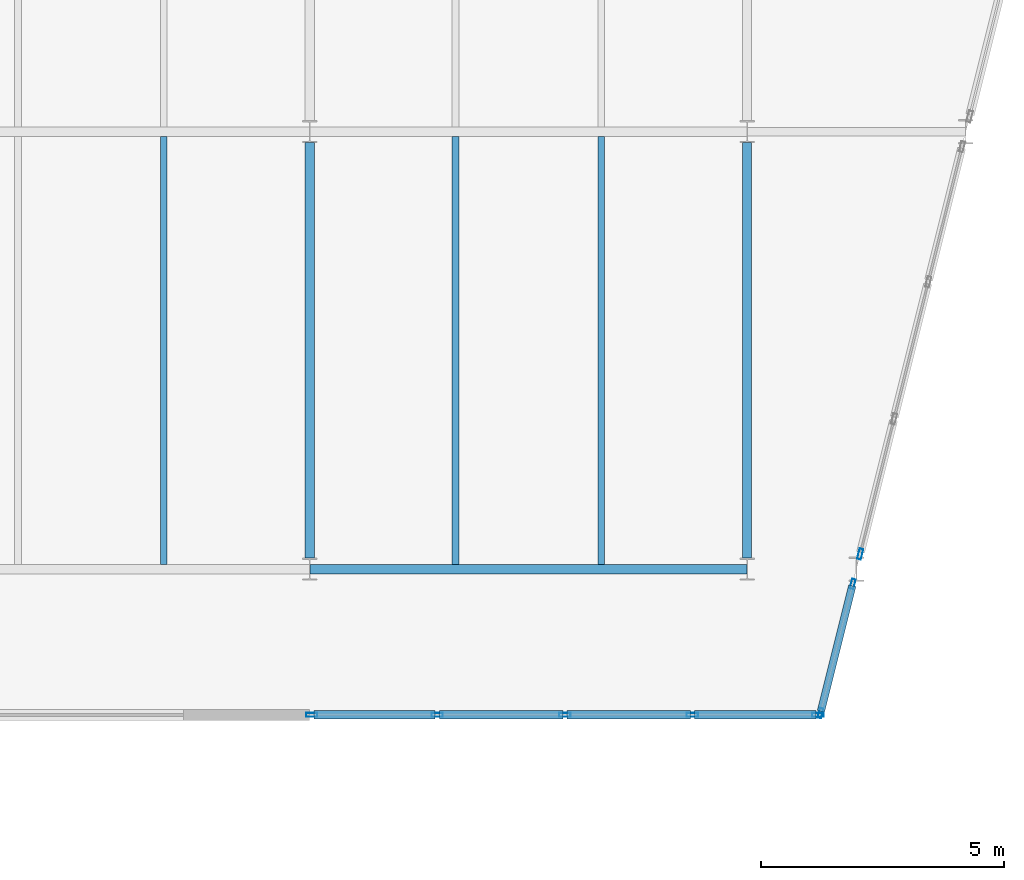
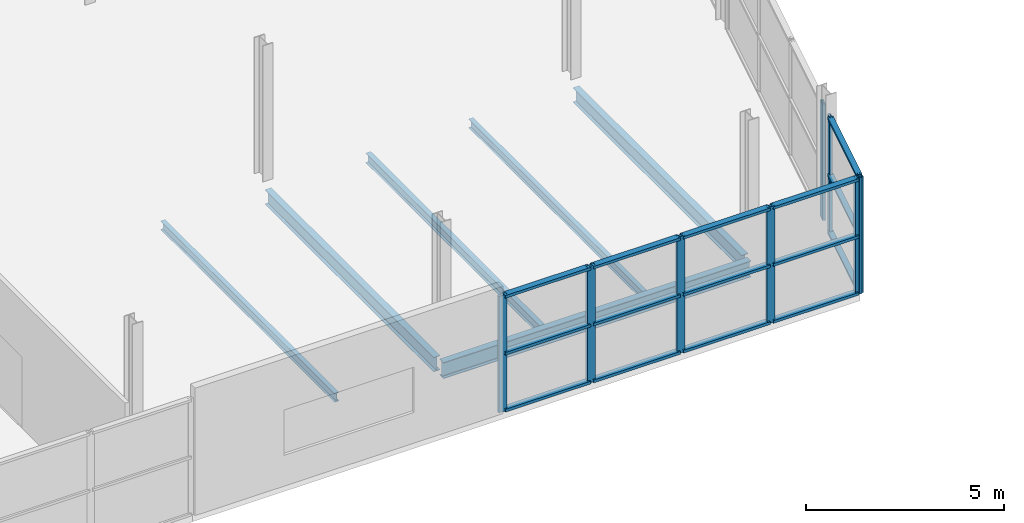
# One storey, part 48 of 132: 23 members, 6 beams, 3 elements without a shape of their own.
"""IFC4 building model written with IfcOpenShell, lengths in metres."""

from ifc_helpers import new_model, si_unit, direction, frame, origin, origin_2d, place, context, subcontext, project, spatial, hollow_rectangle, i_section, extrude, material, layer, layer_set, material_profile, profile_set, type_object, element, aggregate, save


model = new_model("IFC4")

# Units and contexts
model_context = context("Model", 3, precision=1e-05, world=origin(), true_north=direction((0.0, 1.0)))
body_context = subcontext(model_context, "Body", "Model", "MODEL_VIEW")
ifc_project = project(units=[si_unit("LENGTHUNIT", "METRE"), si_unit("AREAUNIT", "SQUARE_METRE"), si_unit("VOLUMEUNIT", "CUBIC_METRE"), si_unit("PLANEANGLEUNIT", "RADIAN"), si_unit("MASSUNIT", "GRAM", prefix="KILO")], contexts=[model_context])

# Site, building, storey
site_placement = place(None, origin())
site = spatial("IfcSite", under=ifc_project, at=site_placement, CompositionType="ELEMENT")
building_placement = place(site_placement, origin())
building = spatial("IfcBuilding", under=site, at=building_placement, Name="Deido Ridge Mobility Hub", CompositionType="ELEMENT")
storey_placement = place(building_placement, frame((0.0, 0.0, 8.39990234375)))
storey = spatial("IfcBuildingStorey", under=building, at=storey_placement, Name="L02", CompositionType="ELEMENT", Elevation=8.39990234375)

# Beams
ifc_material_1 = material(Name="Steel S355J2 EN 10025-2", Category="steel")
ifc_material_profile_1 = material_profile(ifc_material_1, i_section(OverallWidth=0.18994140625, OverallDepth=0.449951171875, WebThickness=0.009521484375, FlangeThickness=0.0146484375, FilletRadius=0.02099609375, at=origin_2d()), Name="IPE 450")
ifc_profile_set_1 = profile_set([ifc_material_profile_1], Name="Steel S355J2 EN 10025-2")
beam_type_1 = type_object("IfcBeamType", Name="BM-IPE450", PredefinedType="BEAM", material=ifc_profile_set_1)
for number, where, z_axis, x_axis, name in (
    (1, (36.0, 54.22509765625, -0.47998046875), (0.0, 1.0, 0.0), (-1.0, 0.0, 0.0), "Floor beam B4"),
    (2, (45.0, 54.22509765625, -0.47998046875), (0.0, 1.0, 0.0), (-1.0, 0.0, 0.0), "Floor beam B4"),
):
    element("IfcBeam", number, at=place(storey_placement, frame(where, z_axis=z_axis, x_axis=x_axis)), inside=storey, type_object=beam_type_1, Name=name, PredefinedType="BEAM", context=body_context, shape_type="SweptSolid", body=[
        extrude(i_section(OverallWidth=0.18994140625, OverallDepth=0.449951171875, WebThickness=0.009521484375, FlangeThickness=0.0146484375, FilletRadius=0.02099609375, at=origin_2d()), origin(), (0.0, 0.0, 1.0), 8.5498046875),
    ])
ifc_material_profile_2 = material_profile(ifc_material_1, i_section(OverallWidth=0.199951171875, OverallDepth=0.5, WebThickness=0.01025390625, FlangeThickness=0.01611328125, FilletRadius=0.02099609375, at=origin_2d()), Name="IPE 500")
ifc_profile_set_2 = profile_set([ifc_material_profile_2], Name="Steel S355J2 EN 10025-2")
beam_type_2 = type_object("IfcBeamType", Name="BM-IPE500", PredefinedType="BEAM", material=ifc_profile_set_2)
beam_1_placement = place(storey_placement, frame((36.007080078125, 54.0, -0.5048828125), z_axis=(1.0, 0.0, 0.0), x_axis=(0.0, 1.0, 0.0)))
element("IfcBeam", 3, at=beam_1_placement, inside=storey, type_object=beam_type_2, Name="Floor beam B3", PredefinedType="BEAM", context=body_context, shape_type="SweptSolid", body=[
    extrude(i_section(OverallWidth=0.199951171875, OverallDepth=0.5, WebThickness=0.01025390625, FlangeThickness=0.01611328125, FilletRadius=0.02099609375, at=origin_2d()), origin(), (0.0, 0.0, 1.0), 8.98583984375),
])
ifc_material_profile_3 = material_profile(ifc_material_1, i_section(OverallWidth=0.135009765625, OverallDepth=0.27001953125, WebThickness=0.006591796875, FlangeThickness=0.01025390625, FilletRadius=0.014892578125, at=origin_2d()), Name="IPE 270")
ifc_profile_set_3 = profile_set([ifc_material_profile_3], Name="Steel S355J2 EN 10025-2")
beam_type_3 = type_object("IfcBeamType", Name="JST-IPE270", PredefinedType="JOIST", material=ifc_profile_set_3)
for number, where, z_axis, x_axis, name in (
    (4, (33.0, 54.10009765625, -0.389892578125), (0.0, 1.0, 0.0), (-1.0, 0.0, 0.0), "Composite joist J4"),
    (5, (42.0, 54.10009765625, -0.389892578125), (0.0, 1.0, 0.0), (-1.0, 0.0, 0.0), "Composite joist J4"),
):
    element("IfcBeam", number, at=place(storey_placement, frame(where, z_axis=z_axis, x_axis=x_axis)), inside=storey, type_object=beam_type_3, Name=name, PredefinedType="JOIST", context=body_context, shape_type="SweptSolid", body=[
        extrude(i_section(OverallWidth=0.135009765625, OverallDepth=0.27001953125, WebThickness=0.006591796875, FlangeThickness=0.01025390625, FilletRadius=0.014892578125, at=origin_2d()), origin(), (0.0, 0.0, 1.0), 8.7998046875),
    ])
ifc_material_profile_4 = material_profile(ifc_material_1, i_section(OverallWidth=0.14990234375, OverallDepth=0.300048828125, WebThickness=0.007080078125, FlangeThickness=0.0107421875, FilletRadius=0.014892578125, at=origin_2d()), Name="IPE 300")
ifc_profile_set_4 = profile_set([ifc_material_profile_4], Name="Steel S355J2 EN 10025-2")
beam_type_4 = type_object("IfcBeamType", Name="JST-IPE300", PredefinedType="JOIST", material=ifc_profile_set_4)
beam_2_placement = place(storey_placement, frame((39.0, 54.10009765625, -0.40478515625), z_axis=(0.0, 1.0, 0.0), x_axis=(-1.0, 0.0, 0.0)))
element("IfcBeam", 6, at=beam_2_placement, inside=storey, type_object=beam_type_4, Name="Composite joist J3", PredefinedType="JOIST", context=body_context, shape_type="SweptSolid", body=[
    extrude(i_section(OverallWidth=0.14990234375, OverallDepth=0.300048828125, WebThickness=0.007080078125, FlangeThickness=0.0107421875, FilletRadius=0.014892578125, at=origin_2d()), origin(), (0.0, 0.0, 1.0), 8.7998046875),
])

# Curtain wall, members
ifc_material_2 = material(Name="Anodised aluminium EN AW-6063 T6", Category="aluminium")
ifc_layer_1 = layer(ifc_material_2, 0.22509765625, Name="Anodised aluminium EN AW-6063 T6")
ifc_layer_set_1 = layer_set([ifc_layer_1], Name="Anodised aluminium EN AW-6063 T6")
curtain_wall_type_1 = type_object("IfcCurtainWallType", Name="CW-UF-5", PredefinedType="USERDEFINED", material=ifc_layer_set_1)
curtain_wall_1_placement = place(storey_placement, origin())
curtain_wall_1 = element("IfcCurtainWall", 7, at=curtain_wall_1_placement, inside=storey, type_object=curtain_wall_type_1, Name="Unitised curtain wall CW5", ObjectType="UNITISED FACADE", PredefinedType="USERDEFINED")
ifc_material_profile_5 = material_profile(ifc_material_2, hollow_rectangle(XDim=0.074951171875, YDim=0.205078125, WallThickness=0.00390625, at=origin_2d()), Name="RHS 75x205x4")
ifc_profile_set_5 = profile_set([ifc_material_profile_5], Name="Anodised aluminium EN AW-6063 T6")
member_type_1 = type_object("IfcMemberType", Name="MEM-MUL-75X205", PredefinedType="MULLION", material=ifc_profile_set_5)
member_1_placement = place(storey_placement, frame((46.509033203125, 51.036376953125, 0.0), z_axis=(0.0, 0.0, 1.0), x_axis=(-0.970138318353, 0.242552351592, 0.0)))
member_1 = element("IfcMember", 8, at=member_1_placement, type_object=member_type_1, Name="CW5 mullion 1", PredefinedType="MULLION", context=body_context, shape_type="SweptSolid", body=[
    extrude(hollow_rectangle(XDim=0.074951171875, YDim=0.205078125, WallThickness=0.00390625, at=origin_2d()), origin(), (0.0, 0.0, 1.0), 3.60009765625),
])
member_2_placement = place(storey_placement, frame((47.17333984375, 53.693115234375, 0.0), z_axis=(0.0, 0.0, 1.0), x_axis=(-0.970138318353, 0.242552351592, 0.0)))
member_2 = element("IfcMember", 9, at=member_2_placement, type_object=member_type_1, Name="CW5 mullion 2", PredefinedType="MULLION", context=body_context, shape_type="SweptSolid", body=[
    extrude(hollow_rectangle(XDim=0.074951171875, YDim=0.205078125, WallThickness=0.00390625, at=origin_2d()), origin(), (0.0, 0.0, 1.0), 3.60009765625),
])

# Curtain wall, member
ifc_layer_2 = layer(ifc_material_2, 0.239990234375, Name="Anodised aluminium EN AW-6063 T6")
ifc_layer_set_2 = layer_set([ifc_layer_2], Name="Anodised aluminium EN AW-6063 T6")
curtain_wall_type_2 = type_object("IfcCurtainWallType", Name="CW-UF-6", PredefinedType="USERDEFINED", material=ifc_layer_set_2)
curtain_wall_2_placement = place(storey_placement, origin())
curtain_wall_2 = element("IfcCurtainWall", 10, at=curtain_wall_2_placement, inside=storey, type_object=curtain_wall_type_2, Name="Unitised curtain wall CW6", ObjectType="UNITISED FACADE", PredefinedType="USERDEFINED")
ifc_material_profile_6 = material_profile(ifc_material_2, hollow_rectangle(XDim=0.080078125, YDim=0.219970703125, WallThickness=0.00390625, at=origin_2d()), Name="RHS 80x220x4")
ifc_profile_set_6 = profile_set([ifc_material_profile_6], Name="Anodised aluminium EN AW-6063 T6")
member_type_2 = type_object("IfcMemberType", Name="MEM-MUL-80X220", PredefinedType="MULLION", material=ifc_profile_set_6)
member_3_placement = place(storey_placement, frame((47.327392578125, 54.309326171875, 0.0), z_axis=(0.0, 0.0, 1.0), x_axis=(-0.970139801497, 0.242546419373, 0.0)))
member_3 = element("IfcMember", 11, at=member_3_placement, type_object=member_type_2, Name="CW6 mullion 1", PredefinedType="MULLION", context=body_context, shape_type="SweptSolid", body=[
    extrude(hollow_rectangle(XDim=0.080078125, YDim=0.219970703125, WallThickness=0.00390625, at=origin_2d()), origin(), (0.0, 0.0, 1.0), 3.60009765625),
])
aggregate(curtain_wall_2, [member_3])

# Curtain wall, members
ifc_layer_3 = layer(ifc_material_2, 0.132080078125, Name="Anodised aluminium EN AW-6063 T6")
ifc_layer_set_3 = layer_set([ifc_layer_3], Name="Anodised aluminium EN AW-6063 T6")
curtain_wall_type_3 = type_object("IfcCurtainWallType", Name="CW-GS-1", PredefinedType="USERDEFINED", material=ifc_layer_set_3)
curtain_wall_3_placement = place(storey_placement, origin())
curtain_wall_3 = element("IfcCurtainWall", 12, at=curtain_wall_3_placement, inside=storey, type_object=curtain_wall_type_3, Name="Unitised curtain wall GS1", ObjectType="GLAZED SCREEN", PredefinedType="USERDEFINED")
ifc_material_profile_7 = material_profile(ifc_material_2, hollow_rectangle(XDim=0.0849609375, YDim=0.235107421875, WallThickness=0.00390625, at=origin_2d()), Name="RHS 85x235x4")
ifc_profile_set_7 = profile_set([ifc_material_profile_7], Name="Anodised aluminium EN AW-6063 T6")
member_type_3 = type_object("IfcMemberType", Name="MEM-MUL-85X235", PredefinedType="MULLION", material=ifc_profile_set_7)
member_4_placement = place(storey_placement, frame((36.04248046875, 51.0, 0.0), z_axis=(0.0, 0.0, 1.0), x_axis=(0.0, 1.0, 0.0)))
member_4 = element("IfcMember", 13, at=member_4_placement, type_object=member_type_3, Name="GS1 mullion 1", PredefinedType="MULLION", context=body_context, shape_type="SweptSolid", body=[
    extrude(hollow_rectangle(XDim=0.0849609375, YDim=0.235107421875, WallThickness=0.00390625, at=origin_2d()), origin(), (0.0, 0.0, 1.0), 3.60009765625),
])
member_5_placement = place(storey_placement, frame((38.625, 51.0, 0.0), z_axis=(0.0, 0.0, 1.0), x_axis=(0.0, 1.0, 0.0)))
member_5 = element("IfcMember", 14, at=member_5_placement, type_object=member_type_3, Name="GS1 mullion 2", PredefinedType="MULLION", context=body_context, shape_type="SweptSolid", body=[
    extrude(hollow_rectangle(XDim=0.0849609375, YDim=0.235107421875, WallThickness=0.00390625, at=origin_2d()), origin(), (0.0, 0.0, 1.0), 3.60009765625),
])
member_6_placement = place(storey_placement, frame((41.25, 51.0, 0.0), z_axis=(0.0, 0.0, 1.0), x_axis=(0.0, 1.0, 0.0)))
member_6 = element("IfcMember", 15, at=member_6_placement, type_object=member_type_3, Name="GS1 mullion 3", PredefinedType="MULLION", context=body_context, shape_type="SweptSolid", body=[
    extrude(hollow_rectangle(XDim=0.0849609375, YDim=0.235107421875, WallThickness=0.00390625, at=origin_2d()), origin(), (0.0, 0.0, 1.0), 3.60009765625),
])
member_7_placement = place(storey_placement, frame((43.875, 51.0, 0.0), z_axis=(0.0, 0.0, 1.0), x_axis=(0.0, 1.0, 0.0)))
member_7 = element("IfcMember", 16, at=member_7_placement, type_object=member_type_3, Name="GS1 mullion 4", PredefinedType="MULLION", context=body_context, shape_type="SweptSolid", body=[
    extrude(hollow_rectangle(XDim=0.0849609375, YDim=0.235107421875, WallThickness=0.00390625, at=origin_2d()), origin(), (0.0, 0.0, 1.0), 3.60009765625),
])
member_8_placement = place(storey_placement, frame((46.45751953125, 51.0, 0.0), z_axis=(0.0, 0.0, 1.0), x_axis=(0.0, 1.0, 0.0)))
member_8 = element("IfcMember", 17, at=member_8_placement, type_object=member_type_3, Name="GS1 mullion 5", PredefinedType="MULLION", context=body_context, shape_type="SweptSolid", body=[
    extrude(hollow_rectangle(XDim=0.0849609375, YDim=0.235107421875, WallThickness=0.00390625, at=origin_2d()), origin(), (0.0, 0.0, 1.0), 3.60009765625),
])

# Member
ifc_material_profile_8 = material_profile(ifc_material_2, hollow_rectangle(XDim=0.155029296875, YDim=0.074951171875, WallThickness=0.00390625, at=origin_2d()), Name="RHS 155x75x4")
ifc_profile_set_8 = profile_set([ifc_material_profile_8], Name="Anodised aluminium EN AW-6063 T6")
member_type_4 = type_object("IfcMemberType", Name="MEM-TRN-155X75", PredefinedType="USERDEFINED", material=ifc_profile_set_8)
member_9_placement = place(storey_placement, frame((46.518310546875, 51.07275390625, 0.03759765625), z_axis=(0.242535625036, 0.970142500145, 0.0), x_axis=(-0.970142500145, 0.242535625036, 0.0)))
member_9 = element("IfcMember", 18, at=member_9_placement, type_object=member_type_4, Name="CW5 transom 1.1", ObjectType="TRANSOM", PredefinedType="USERDEFINED", context=body_context, shape_type="SweptSolid", body=[
    extrude(hollow_rectangle(XDim=0.155029296875, YDim=0.074951171875, WallThickness=0.00390625, at=origin_2d()), origin(), (0.0, 0.0, 1.0), 2.66357421875),
])

member_10_placement = place(storey_placement, frame((46.518310546875, 51.07275390625, 1.800048828125), z_axis=(0.242535625036, 0.970142500145, 0.0), x_axis=(-0.970142500145, 0.242535625036, 0.0)))
member_10 = element("IfcMember", 19, at=member_10_placement, type_object=member_type_4, Name="CW5 transom 1.2", ObjectType="TRANSOM", PredefinedType="USERDEFINED", context=body_context, shape_type="SweptSolid", body=[
    extrude(hollow_rectangle(XDim=0.155029296875, YDim=0.074951171875, WallThickness=0.00390625, at=origin_2d()), origin(), (0.0, 0.0, 1.0), 2.66357421875),
])

member_11_placement = place(storey_placement, frame((46.518310546875, 51.07275390625, 3.5625), z_axis=(0.242535625036, 0.970142500145, 0.0), x_axis=(-0.970142500145, 0.242535625036, 0.0)))
member_11 = element("IfcMember", 20, at=member_11_placement, type_object=member_type_4, Name="CW5 transom 1.3", ObjectType="TRANSOM", PredefinedType="USERDEFINED", context=body_context, shape_type="SweptSolid", body=[
    extrude(hollow_rectangle(XDim=0.155029296875, YDim=0.074951171875, WallThickness=0.00390625, at=origin_2d()), origin(), (0.0, 0.0, 1.0), 2.66357421875),
])

aggregate(curtain_wall_1, [member_1, member_2, member_9, member_10, member_11])

ifc_material_profile_9 = material_profile(ifc_material_2, hollow_rectangle(XDim=0.175048828125, YDim=0.0849609375, WallThickness=0.00390625, at=origin_2d()), Name="RHS 175x85x4")
ifc_profile_set_9 = profile_set([ifc_material_profile_9], Name="Anodised aluminium EN AW-6063 T6")
member_type_5 = type_object("IfcMemberType", Name="MEM-TRN-175X85", PredefinedType="USERDEFINED", material=ifc_profile_set_9)
member_12_placement = place(storey_placement, frame((36.0849609375, 51.0, 0.04248046875), z_axis=(1.0, 0.0, 0.0), x_axis=(0.0, 1.0, 0.0)))
member_12 = element("IfcMember", 21, at=member_12_placement, type_object=member_type_5, Name="GS1 transom 1.1", ObjectType="TRANSOM", PredefinedType="USERDEFINED", context=body_context, shape_type="SweptSolid", body=[
    extrude(hollow_rectangle(XDim=0.175048828125, YDim=0.0849609375, WallThickness=0.00390625, at=origin_2d()), origin(), (0.0, 0.0, 1.0), 2.49755859375),
])

member_13_placement = place(storey_placement, frame((36.0849609375, 51.0, 1.800048828125), z_axis=(1.0, 0.0, 0.0), x_axis=(0.0, 1.0, 0.0)))
member_13 = element("IfcMember", 22, at=member_13_placement, type_object=member_type_5, Name="GS1 transom 1.2", ObjectType="TRANSOM", PredefinedType="USERDEFINED", context=body_context, shape_type="SweptSolid", body=[
    extrude(hollow_rectangle(XDim=0.175048828125, YDim=0.0849609375, WallThickness=0.00390625, at=origin_2d()), origin(), (0.0, 0.0, 1.0), 2.49755859375),
])

member_14_placement = place(storey_placement, frame((36.0849609375, 51.0, 3.5576171875), z_axis=(1.0, 0.0, 0.0), x_axis=(0.0, 1.0, 0.0)))
member_14 = element("IfcMember", 23, at=member_14_placement, type_object=member_type_5, Name="GS1 transom 1.3", ObjectType="TRANSOM", PredefinedType="USERDEFINED", context=body_context, shape_type="SweptSolid", body=[
    extrude(hollow_rectangle(XDim=0.175048828125, YDim=0.0849609375, WallThickness=0.00390625, at=origin_2d()), origin(), (0.0, 0.0, 1.0), 2.49755859375),
])

member_15_placement = place(storey_placement, frame((38.66748046875, 51.0, 0.04248046875), z_axis=(1.0, 0.0, 0.0), x_axis=(0.0, 1.0, 0.0)))
member_15 = element("IfcMember", 24, at=member_15_placement, type_object=member_type_5, Name="GS1 transom 2.1", ObjectType="TRANSOM", PredefinedType="USERDEFINED", context=body_context, shape_type="SweptSolid", body=[
    extrude(hollow_rectangle(XDim=0.175048828125, YDim=0.0849609375, WallThickness=0.00390625, at=origin_2d()), origin(), (0.0, 0.0, 1.0), 2.5400390625),
])

member_16_placement = place(storey_placement, frame((38.66748046875, 51.0, 1.800048828125), z_axis=(1.0, 0.0, 0.0), x_axis=(0.0, 1.0, 0.0)))
member_16 = element("IfcMember", 25, at=member_16_placement, type_object=member_type_5, Name="GS1 transom 2.2", ObjectType="TRANSOM", PredefinedType="USERDEFINED", context=body_context, shape_type="SweptSolid", body=[
    extrude(hollow_rectangle(XDim=0.175048828125, YDim=0.0849609375, WallThickness=0.00390625, at=origin_2d()), origin(), (0.0, 0.0, 1.0), 2.5400390625),
])

member_17_placement = place(storey_placement, frame((38.66748046875, 51.0, 3.5576171875), z_axis=(1.0, 0.0, 0.0), x_axis=(0.0, 1.0, 0.0)))
member_17 = element("IfcMember", 26, at=member_17_placement, type_object=member_type_5, Name="GS1 transom 2.3", ObjectType="TRANSOM", PredefinedType="USERDEFINED", context=body_context, shape_type="SweptSolid", body=[
    extrude(hollow_rectangle(XDim=0.175048828125, YDim=0.0849609375, WallThickness=0.00390625, at=origin_2d()), origin(), (0.0, 0.0, 1.0), 2.5400390625),
])

member_18_placement = place(storey_placement, frame((41.29248046875, 51.0, 0.04248046875), z_axis=(1.0, 0.0, 0.0), x_axis=(0.0, 1.0, 0.0)))
member_18 = element("IfcMember", 27, at=member_18_placement, type_object=member_type_5, Name="GS1 transom 3.1", ObjectType="TRANSOM", PredefinedType="USERDEFINED", context=body_context, shape_type="SweptSolid", body=[
    extrude(hollow_rectangle(XDim=0.175048828125, YDim=0.0849609375, WallThickness=0.00390625, at=origin_2d()), origin(), (0.0, 0.0, 1.0), 2.5400390625),
])

member_19_placement = place(storey_placement, frame((41.29248046875, 51.0, 1.800048828125), z_axis=(1.0, 0.0, 0.0), x_axis=(0.0, 1.0, 0.0)))
member_19 = element("IfcMember", 28, at=member_19_placement, type_object=member_type_5, Name="GS1 transom 3.2", ObjectType="TRANSOM", PredefinedType="USERDEFINED", context=body_context, shape_type="SweptSolid", body=[
    extrude(hollow_rectangle(XDim=0.175048828125, YDim=0.0849609375, WallThickness=0.00390625, at=origin_2d()), origin(), (0.0, 0.0, 1.0), 2.5400390625),
])

member_20_placement = place(storey_placement, frame((41.29248046875, 51.0, 3.5576171875), z_axis=(1.0, 0.0, 0.0), x_axis=(0.0, 1.0, 0.0)))
member_20 = element("IfcMember", 29, at=member_20_placement, type_object=member_type_5, Name="GS1 transom 3.3", ObjectType="TRANSOM", PredefinedType="USERDEFINED", context=body_context, shape_type="SweptSolid", body=[
    extrude(hollow_rectangle(XDim=0.175048828125, YDim=0.0849609375, WallThickness=0.00390625, at=origin_2d()), origin(), (0.0, 0.0, 1.0), 2.5400390625),
])

member_21_placement = place(storey_placement, frame((43.91748046875, 51.0, 0.04248046875), z_axis=(1.0, 0.0, 0.0), x_axis=(0.0, 1.0, 0.0)))
member_21 = element("IfcMember", 30, at=member_21_placement, type_object=member_type_5, Name="GS1 transom 4.1", ObjectType="TRANSOM", PredefinedType="USERDEFINED", context=body_context, shape_type="SweptSolid", body=[
    extrude(hollow_rectangle(XDim=0.175048828125, YDim=0.0849609375, WallThickness=0.00390625, at=origin_2d()), origin(), (0.0, 0.0, 1.0), 2.49755859375),
])

member_22_placement = place(storey_placement, frame((43.91748046875, 51.0, 1.800048828125), z_axis=(1.0, 0.0, 0.0), x_axis=(0.0, 1.0, 0.0)))
member_22 = element("IfcMember", 31, at=member_22_placement, type_object=member_type_5, Name="GS1 transom 4.2", ObjectType="TRANSOM", PredefinedType="USERDEFINED", context=body_context, shape_type="SweptSolid", body=[
    extrude(hollow_rectangle(XDim=0.175048828125, YDim=0.0849609375, WallThickness=0.00390625, at=origin_2d()), origin(), (0.0, 0.0, 1.0), 2.49755859375),
])

member_23_placement = place(storey_placement, frame((43.91748046875, 51.0, 3.5576171875), z_axis=(1.0, 0.0, 0.0), x_axis=(0.0, 1.0, 0.0)))
member_23 = element("IfcMember", 32, at=member_23_placement, type_object=member_type_5, Name="GS1 transom 4.3", ObjectType="TRANSOM", PredefinedType="USERDEFINED", context=body_context, shape_type="SweptSolid", body=[
    extrude(hollow_rectangle(XDim=0.175048828125, YDim=0.0849609375, WallThickness=0.00390625, at=origin_2d()), origin(), (0.0, 0.0, 1.0), 2.49755859375),
])

aggregate(curtain_wall_3, [member_4, member_5, member_6, member_7, member_8, member_12, member_13, member_14, member_15, member_16, member_17, member_18, member_19, member_20, member_21, member_22, member_23])

save(model, "model.ifc")
